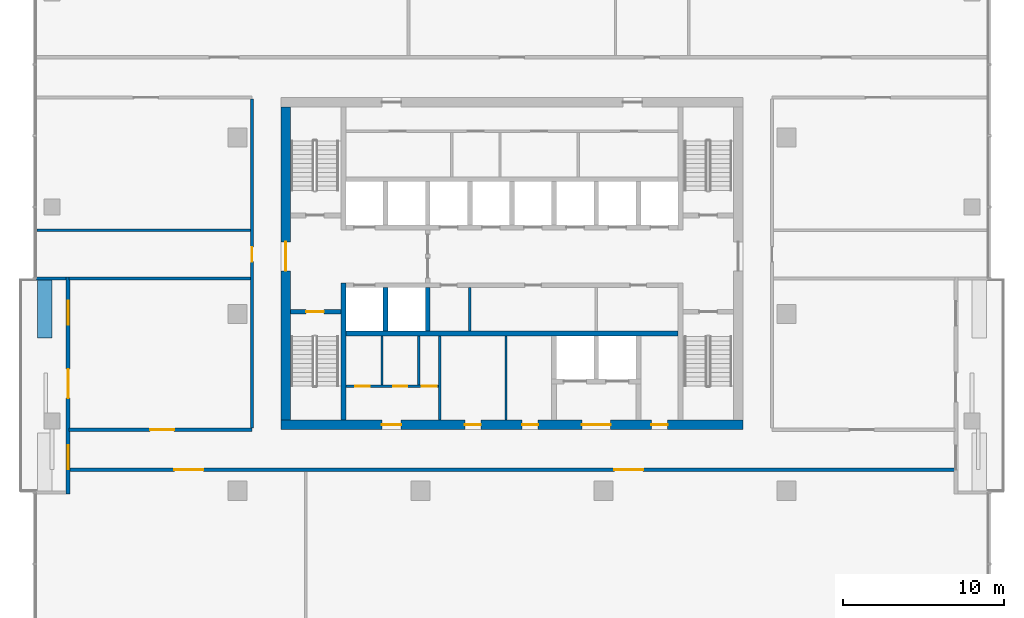
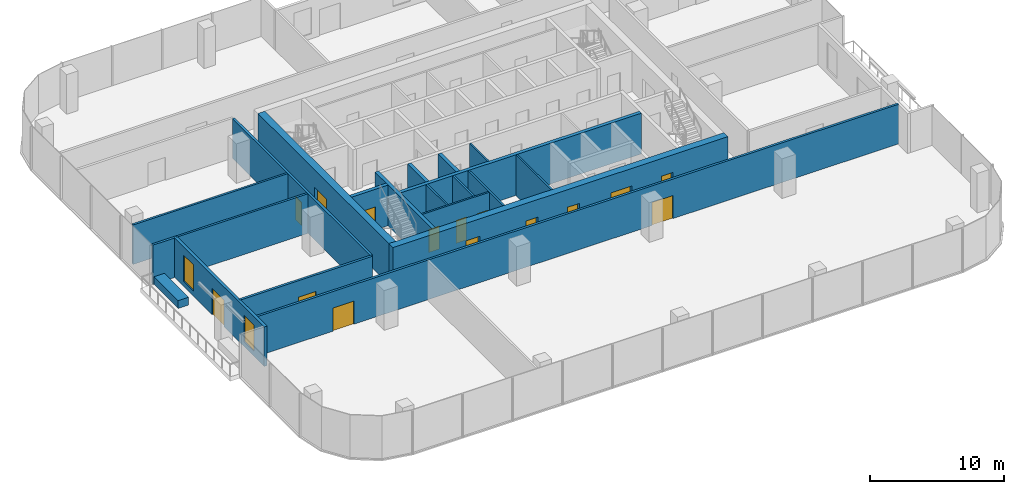
# One storey, part 7 of 13: 21 walls, 15 doors, 2 windows, 17 openings.
"""IFC4 building model written with IfcOpenShell, lengths in metres."""

from ifc_helpers import new_model, si_unit, direction, frame, frame_2d, origin, place, context, subcontext, project, spatial, rectangle, extrude, material, layer, layer_set, type_object, element, fill, save


model = new_model("IFC4")

# Units and contexts
model_context = context("Model", 3, precision=1e-05, world=origin(), true_north=direction((0.0, 1.0)))
body_context = subcontext(model_context, "Body", "Model", "MODEL_VIEW")
ifc_project = project(units=[si_unit("LENGTHUNIT", "METRE"), si_unit("AREAUNIT", "SQUARE_METRE"), si_unit("VOLUMEUNIT", "CUBIC_METRE"), si_unit("PLANEANGLEUNIT", "RADIAN"), si_unit("MASSUNIT", "GRAM", prefix="KILO")], contexts=[model_context])

# Site, building, storey
site_placement = place(None, origin())
site = spatial("IfcSite", under=ifc_project, at=site_placement, CompositionType="ELEMENT")
building_placement = place(site_placement, origin())
building = spatial("IfcBuilding", under=site, at=building_placement, Name="Mopane Tessera Tower", CompositionType="ELEMENT")
storey_placement = place(building_placement, frame((0.0, 0.0, 283.39990234375)))
storey = spatial("IfcBuildingStorey", under=building, at=storey_placement, Name="L61", CompositionType="ELEMENT", Elevation=283.39990234375)

# Wall, openings, doors
ifc_material_1 = material(Name="Fire-rated gypsum board partition")
ifc_layer_1 = layer(ifc_material_1, 0.14990234375)
ifc_layer_set_1 = layer_set([ifc_layer_1], Name="Fire-rated gypsum board partition")
wall_type_1 = type_object("IfcWallType", Name="Core room partition 150 mm", PredefinedType="PARTITIONING", material=ifc_layer_set_1)
wall_1_placement = place(storey_placement, frame((-10.35009765625, -4.5, 0.0), z_axis=(0.0, 0.0, 1.0), x_axis=(1.0, 0.0, 0.0)))
wall_1 = element("IfcWall", 1, at=wall_1_placement, inside=storey, type_object=wall_type_1, Name="L61 WC partition", PredefinedType="PARTITIONING", context=body_context, shape_type="SweptSolid", body=[
    extrude(rectangle(XDim=5.775146484375, YDim=0.14990234375, at=frame_2d((2.8876953125, 0.0))), origin(), (0.0, 0.0, 1.0), 3.7001953125),
])
opening_1_placement = place(wall_1_placement, frame((0.60009765625, 0.0, 0.0)))
opening_1 = element("IfcOpeningElement", 2, at=opening_1_placement, cuts=wall_1, Name="Opening WD1", PredefinedType="OPENING", context=body_context, shape_type="SweptSolid", body=[
    extrude(rectangle(XDim=0.89990234375, YDim=2.10009765625, at=frame_2d((0.449951171875, 1.050048828125))), frame((0.0, 0.0869140625, 0.0), z_axis=(0.0, -1.0, 0.0), x_axis=(1.0, 0.0, 0.0)), (0.0, 0.0, 1.0), 0.173828125),
])
opening_2_placement = place(wall_1_placement, frame((2.93994140625, 0.0, 0.0)))
opening_2 = element("IfcOpeningElement", 3, at=opening_2_placement, cuts=wall_1, Name="Opening WD1", PredefinedType="OPENING", context=body_context, shape_type="SweptSolid", body=[
    extrude(rectangle(XDim=0.89990234375, YDim=2.10009765625, at=frame_2d((0.449951171875, 1.050048828125))), frame((0.0, 0.0869140625, 0.0), z_axis=(0.0, -1.0, 0.0), x_axis=(1.0, 0.0, 0.0)), (0.0, 0.0, 1.0), 0.173828125),
])
opening_3_placement = place(wall_1_placement, frame((4.715087890625, 0.0, 0.0)))
opening_3 = element("IfcOpeningElement", 4, at=opening_3_placement, cuts=wall_1, Name="Opening WD2", PredefinedType="OPENING", context=body_context, shape_type="SweptSolid", body=[
    extrude(rectangle(XDim=0.949951171875, YDim=2.10009765625, at=frame_2d((0.47509765625, 1.050048828125))), frame((0.0, 0.0869140625, 0.0), z_axis=(0.0, -1.0, 0.0), x_axis=(1.0, 0.0, 0.0)), (0.0, 0.0, 1.0), 0.173828125),
])
ifc_material_2 = material(Name="Timber door", Category="wood")
door_type_1 = type_object("IfcDoorType", Name="Accessible WC door 950 x 2100", OperationType="SINGLE_SWING_LEFT", PredefinedType="DOOR", material=ifc_material_2)
door_1_placement = place(opening_3_placement, origin())
door_1 = element("IfcDoor", 5, at=door_1_placement, inside=storey, type_object=door_type_1, Name="L61 Accessible WC door", OperationType="SINGLE_SWING_LEFT", OverallHeight=2.10009765625, OverallWidth=0.949951171875, PredefinedType="DOOR", context=body_context, shape_type="SweptSolid", body=[
    extrude(rectangle(XDim=0.949951171875, YDim=2.10009765625, at=frame_2d((0.47509765625, 1.050048828125))), frame((0.0, 0.02490234375, 0.0), z_axis=(0.0, -1.0, 0.0), x_axis=(1.0, 0.0, 0.0)), (0.0, 0.0, 1.0), 0.050048828125),
])
fill(opening_3, door_1)
ifc_material_3 = material(Name="Timber door", Category="wood")
door_type_2 = type_object("IfcDoorType", Name="WC cubicle door 900 x 2100", OperationType="SINGLE_SWING_LEFT", PredefinedType="DOOR", material=ifc_material_3)
door_2_placement = place(opening_1_placement, origin())
door_2 = element("IfcDoor", 6, at=door_2_placement, inside=storey, type_object=door_type_2, Name="L61 Men's WC door", OperationType="SINGLE_SWING_LEFT", OverallHeight=2.10009765625, OverallWidth=0.89990234375, PredefinedType="DOOR", context=body_context, shape_type="SweptSolid", body=[
    extrude(rectangle(XDim=0.89990234375, YDim=2.10009765625, at=frame_2d((0.449951171875, 1.050048828125))), frame((0.0, 0.02490234375, 0.0), z_axis=(0.0, -1.0, 0.0), x_axis=(1.0, 0.0, 0.0)), (0.0, 0.0, 1.0), 0.050048828125),
])
fill(opening_1, door_2)
door_3_placement = place(opening_2_placement, origin())
door_3 = element("IfcDoor", 7, at=door_3_placement, inside=storey, type_object=door_type_2, Name="L61 Women's WC door", OperationType="SINGLE_SWING_LEFT", OverallHeight=2.10009765625, OverallWidth=0.89990234375, PredefinedType="DOOR", context=body_context, shape_type="SweptSolid", body=[
    extrude(rectangle(XDim=0.89990234375, YDim=2.10009765625, at=frame_2d((0.449951171875, 1.050048828125))), frame((0.0, 0.02490234375, 0.0), z_axis=(0.0, -1.0, 0.0), x_axis=(1.0, 0.0, 0.0)), (0.0, 0.0, 1.0), 0.050048828125),
])
fill(opening_2, door_3)

# Walls
for number, where, z_axis, x_axis, name in (
    (8, (-8.10009765625, -4.425048828125, 0.0), (0.0, 0.0, 1.0), (0.0, 1.0, 0.0), "L61 WC partition"),
    (9, (-5.820068359375, -4.425048828125, 0.0), (0.0, 0.0, 1.0), (0.0, 1.0, 0.0), "L61 WC partition"),
):
    element("IfcWall", number, at=place(storey_placement, frame(where, z_axis=z_axis, x_axis=x_axis)), inside=storey, type_object=wall_type_1, Name=name, PredefinedType="PARTITIONING", context=body_context, shape_type="SweptSolid", body=[
        extrude(rectangle(XDim=3.074951171875, YDim=0.14990234375, at=frame_2d((1.53759765625, 0.0))), origin(), (0.0, 0.0, 1.0), 3.7001953125),
    ])
for number, where, z_axis, x_axis, name in (
    (10, (-4.5, -6.60009765625, 0.0), (0.0, 0.0, 1.0), (0.0, 1.0, 0.0), "L61 Room partition"),
    (11, (-0.375, -6.60009765625, 0.0), (0.0, 0.0, 1.0), (0.0, 1.0, 0.0), "L61 Room partition"),
):
    element("IfcWall", number, at=place(storey_placement, frame(where, z_axis=z_axis, x_axis=x_axis)), inside=storey, type_object=wall_type_1, Name=name, PredefinedType="PARTITIONING", context=body_context, shape_type="SweptSolid", body=[
        extrude(rectangle(XDim=5.25, YDim=0.14990234375, at=frame_2d((2.625, 0.0))), origin(), (0.0, 0.0, 1.0), 3.7001953125),
    ])
wall_2_placement = place(storey_placement, frame((-2.625, -1.050048828125, 0.0), z_axis=(0.0, 0.0, 1.0), x_axis=(0.0, 1.0, 0.0)))
element("IfcWall", 12, at=wall_2_placement, inside=storey, type_object=wall_type_1, Name="L61 Room partition", PredefinedType="PARTITIONING", context=body_context, shape_type="SweptSolid", body=[
    extrude(rectangle(XDim=2.699951171875, YDim=0.14990234375, at=frame_2d((1.35009765625, 0.0))), origin(), (0.0, 0.0, 1.0), 3.7001953125),
])

# Wall, openings, doors
ifc_material_4 = material(Name="Concrete C70/85", Category="concrete")
ifc_layer_2 = layer(ifc_material_4, 0.60009765625)
ifc_layer_set_2 = layer_set([ifc_layer_2], Name="Concrete C70/85")
wall_type_2 = type_object("IfcWallType", Name="Core shear wall 600 mm", PredefinedType="SHEAR", material=ifc_layer_set_2)
wall_3_placement = place(storey_placement, frame((-14.39990234375, -6.89990234375, 0.0), z_axis=(0.0, 0.0, 1.0), x_axis=(1.0, 0.0, 0.0)))
wall_3 = element("IfcWall", 13, at=wall_3_placement, inside=storey, type_object=wall_type_2, Name="L61 Core wall south", PredefinedType="SHEAR", context=body_context, shape_type="SweptSolid", body=[
    extrude(rectangle(XDim=28.7998046875, YDim=0.60009765625, at=frame_2d((14.39990234375, 0.0))), origin(), (0.0, 0.0, 1.0), 3.7001953125),
])
opening_4_placement = place(wall_3_placement, frame((6.300048828125, 0.0, 0.0)))
opening_4 = element("IfcOpeningElement", 14, at=opening_4_placement, cuts=wall_3, Name="Opening WD3", PredefinedType="OPENING", context=body_context, shape_type="SweptSolid", body=[
    extrude(rectangle(XDim=1.199951171875, YDim=2.10009765625, at=frame_2d((0.60009765625, 1.050048828125))), frame((0.0, 0.31201171875, 0.0), z_axis=(0.0, -1.0, 0.0), x_axis=(1.0, 0.0, 0.0)), (0.0, 0.0, 1.0), 0.6240234375),
])
opening_5_placement = place(wall_3_placement, frame((11.46240234375, 0.0, 0.0)))
opening_5 = element("IfcOpeningElement", 15, at=opening_5_placement, cuts=wall_3, Name="Opening RD1", PredefinedType="OPENING", context=body_context, shape_type="SweptSolid", body=[
    extrude(rectangle(XDim=1.0, YDim=2.10009765625, at=frame_2d((0.5, 1.050048828125))), frame((0.0, 0.31201171875, 0.0), z_axis=(0.0, -1.0, 0.0), x_axis=(1.0, 0.0, 0.0)), (0.0, 0.0, 1.0), 0.6240234375),
])
opening_6_placement = place(wall_3_placement, frame((15.02490234375, 0.0, 0.0)))
opening_6 = element("IfcOpeningElement", 16, at=opening_6_placement, cuts=wall_3, Name="Opening RD1", PredefinedType="OPENING", context=body_context, shape_type="SweptSolid", body=[
    extrude(rectangle(XDim=1.0, YDim=2.10009765625, at=frame_2d((0.5, 1.050048828125))), frame((0.0, 0.31201171875, 0.0), z_axis=(0.0, -1.0, 0.0), x_axis=(1.0, 0.0, 0.0)), (0.0, 0.0, 1.0), 0.6240234375),
])
opening_7_placement = place(wall_3_placement, frame((18.75, 0.0, 0.0)))
opening_7 = element("IfcOpeningElement", 17, at=opening_7_placement, cuts=wall_3, Name="Opening SD2", PredefinedType="OPENING", context=body_context, shape_type="SweptSolid", body=[
    extrude(rectangle(XDim=1.800048828125, YDim=2.10009765625, at=frame_2d((0.89990234375, 1.050048828125))), frame((0.0, 0.31201171875, 0.0), z_axis=(0.0, -1.0, 0.0), x_axis=(1.0, 0.0, 0.0)), (0.0, 0.0, 1.0), 0.6240234375),
])
opening_8_placement = place(wall_3_placement, frame((23.08740234375, 0.0, 0.0)))
opening_8 = element("IfcOpeningElement", 18, at=opening_8_placement, cuts=wall_3, Name="Opening RD1", PredefinedType="OPENING", context=body_context, shape_type="SweptSolid", body=[
    extrude(rectangle(XDim=1.0, YDim=2.10009765625, at=frame_2d((0.5, 1.050048828125))), frame((0.0, 0.31201171875, 0.0), z_axis=(0.0, -1.0, 0.0), x_axis=(1.0, 0.0, 0.0)), (0.0, 0.0, 1.0), 0.6240234375),
])
ifc_material_5 = material(Name="Steel fire door", Category="steel")
door_type_3 = type_object("IfcDoorType", Name="Core entrance double door 1800 x 2100", OperationType="DOUBLE_DOOR_SINGLE_SWING", PredefinedType="DOOR", material=ifc_material_5)
door_4_placement = place(opening_7_placement, origin())
door_4 = element("IfcDoor", 19, at=door_4_placement, inside=storey, type_object=door_type_3, Name="L61 Service lobby door", OperationType="DOUBLE_DOOR_SINGLE_SWING", OverallHeight=2.10009765625, OverallWidth=1.800048828125, PredefinedType="DOOR", context=body_context, shape_type="SweptSolid", body=[
    extrude(rectangle(XDim=1.800048828125, YDim=2.10009765625, at=frame_2d((0.89990234375, 1.050048828125))), frame((0.0, 0.02490234375, 0.0), z_axis=(0.0, -1.0, 0.0), x_axis=(1.0, 0.0, 0.0)), (0.0, 0.0, 1.0), 0.050048828125),
])
fill(opening_7, door_4)
ifc_material_6 = material(Name="Timber door", Category="wood")
door_type_4 = type_object("IfcDoorType", Name="Core room door 1000 x 2100", OperationType="SINGLE_SWING_LEFT", PredefinedType="DOOR", material=ifc_material_6)
door_5_placement = place(opening_5_placement, origin())
door_5 = element("IfcDoor", 20, at=door_5_placement, inside=storey, type_object=door_type_4, Name="L61 Room door", OperationType="SINGLE_SWING_LEFT", OverallHeight=2.10009765625, OverallWidth=1.0, PredefinedType="DOOR", context=body_context, shape_type="SweptSolid", body=[
    extrude(rectangle(XDim=1.0, YDim=2.10009765625, at=frame_2d((0.5, 1.050048828125))), frame((0.0, 0.02490234375, 0.0), z_axis=(0.0, -1.0, 0.0), x_axis=(1.0, 0.0, 0.0)), (0.0, 0.0, 1.0), 0.050048828125),
])
fill(opening_5, door_5)
door_6_placement = place(opening_6_placement, origin())
door_6 = element("IfcDoor", 21, at=door_6_placement, inside=storey, type_object=door_type_4, Name="L61 Room door", OperationType="SINGLE_SWING_LEFT", OverallHeight=2.10009765625, OverallWidth=1.0, PredefinedType="DOOR", context=body_context, shape_type="SweptSolid", body=[
    extrude(rectangle(XDim=1.0, YDim=2.10009765625, at=frame_2d((0.5, 1.050048828125))), frame((0.0, 0.02490234375, 0.0), z_axis=(0.0, -1.0, 0.0), x_axis=(1.0, 0.0, 0.0)), (0.0, 0.0, 1.0), 0.050048828125),
])
fill(opening_6, door_6)
door_7_placement = place(opening_8_placement, origin())
door_7 = element("IfcDoor", 22, at=door_7_placement, inside=storey, type_object=door_type_4, Name="L61 Room door", OperationType="SINGLE_SWING_LEFT", OverallHeight=2.10009765625, OverallWidth=1.0, PredefinedType="DOOR", context=body_context, shape_type="SweptSolid", body=[
    extrude(rectangle(XDim=1.0, YDim=2.10009765625, at=frame_2d((0.5, 1.050048828125))), frame((0.0, 0.02490234375, 0.0), z_axis=(0.0, -1.0, 0.0), x_axis=(1.0, 0.0, 0.0)), (0.0, 0.0, 1.0), 0.050048828125),
])
fill(opening_8, door_7)
ifc_material_7 = material(Name="Timber door", Category="wood")
door_type_5 = type_object("IfcDoorType", Name="WC lobby door 1200 x 2100", OperationType="SINGLE_SWING_LEFT", PredefinedType="DOOR", material=ifc_material_7)
door_8_placement = place(opening_4_placement, origin())
door_8 = element("IfcDoor", 23, at=door_8_placement, inside=storey, type_object=door_type_5, Name="L61 WC lobby door", OperationType="SINGLE_SWING_LEFT", OverallHeight=2.10009765625, OverallWidth=1.199951171875, PredefinedType="DOOR", context=body_context, shape_type="SweptSolid", body=[
    extrude(rectangle(XDim=1.199951171875, YDim=2.10009765625, at=frame_2d((0.60009765625, 1.050048828125))), frame((0.0, 0.02490234375, 0.0), z_axis=(0.0, -1.0, 0.0), x_axis=(1.0, 0.0, 0.0)), (0.0, 0.0, 1.0), 0.050048828125),
])
fill(opening_4, door_8)

# Wall, opening, door
wall_4_placement = place(storey_placement, frame((-14.10009765625, -6.60009765625, 0.0), z_axis=(0.0, 0.0, 1.0), x_axis=(0.0, 1.0, 0.0)))
wall_4 = element("IfcWall", 24, at=wall_4_placement, inside=storey, type_object=wall_type_2, Name="L61 Core wall west", PredefinedType="SHEAR", context=body_context, shape_type="SweptSolid", body=[
    extrude(rectangle(XDim=19.5, YDim=0.60009765625, at=frame_2d((9.75, 0.0))), origin(), (0.0, 0.0, 1.0), 3.7001953125),
])
opening_9_placement = place(wall_4_placement, frame((9.300048828125, 0.0, 0.0)))
opening_9 = element("IfcOpeningElement", 25, at=opening_9_placement, cuts=wall_4, Name="Opening SD2", PredefinedType="OPENING", context=body_context, shape_type="SweptSolid", body=[
    extrude(rectangle(XDim=1.800048828125, YDim=2.10009765625, at=frame_2d((0.89990234375, 1.050048828125))), frame((0.0, 0.31201171875, 0.0), z_axis=(0.0, -1.0, 0.0), x_axis=(1.0, 0.0, 0.0)), (0.0, 0.0, 1.0), 0.6240234375),
])
door_9_placement = place(opening_9_placement, origin())
door_9 = element("IfcDoor", 26, at=door_9_placement, inside=storey, type_object=door_type_3, Name="L61 Core entrance door west", OperationType="DOUBLE_DOOR_SINGLE_SWING", OverallHeight=2.10009765625, OverallWidth=1.800048828125, PredefinedType="DOOR", context=body_context, shape_type="SweptSolid", body=[
    extrude(rectangle(XDim=1.800048828125, YDim=2.10009765625, at=frame_2d((0.89990234375, 1.050048828125))), frame((0.0, 0.02490234375, 0.0), z_axis=(0.0, -1.0, 0.0), x_axis=(1.0, 0.0, 0.0)), (0.0, 0.0, 1.0), 0.050048828125),
])
fill(opening_9, door_9)

# Walls
ifc_material_8 = material(Name="Concrete C60/75", Category="concrete")
ifc_layer_3 = layer(ifc_material_8, 0.300048828125)
ifc_layer_set_3 = layer_set([ifc_layer_3], Name="Concrete C60/75")
wall_type_3 = type_object("IfcWallType", Name="Core spine wall 300 mm", PredefinedType="SHEAR", material=ifc_layer_set_3)
wall_5_placement = place(storey_placement, frame((-10.5, -6.60009765625, 0.0), z_axis=(0.0, 0.0, 1.0), x_axis=(0.0, 1.0, 0.0)))
element("IfcWall", 27, at=wall_5_placement, inside=storey, type_object=wall_type_3, Name="L61 Core spine wall", PredefinedType="SHEAR", context=body_context, shape_type="SweptSolid", body=[
    extrude(rectangle(XDim=8.550048828125, YDim=0.300048828125, at=frame_2d((4.27490234375, 0.0))), origin(), (0.0, 0.0, 1.0), 3.7001953125),
])
ifc_material_9 = material(Name="Gypsum board on staggered steel studs, double layer each face, acoustic mineral wool infill", Category="steel")
ifc_layer_4 = layer(ifc_material_9, 0.175048828125)
ifc_layer_set_4 = layer_set([ifc_layer_4], Name="Gypsum board on staggered steel studs, double layer each face, acoustic mineral wool infill")
wall_type_4 = type_object("IfcWallType", Name="Gypsum board acoustic partition 175, rated EI 60", PredefinedType="PARTITIONING", material=ifc_layer_set_4)
wall_6_placement = place(storey_placement, frame((-27.60009765625, 2.219970703125, 0.0), z_axis=(0.0, 0.0, 1.0), x_axis=(1.0, 0.0, 0.0)))
element("IfcWall", 28, at=wall_6_placement, inside=storey, type_object=wall_type_4, Name="Partition L61:003", PredefinedType="PARTITIONING", context=body_context, shape_type="SweptSolid", body=[
    extrude(rectangle(XDim=11.300048828125, YDim=0.175048828125, at=frame_2d((5.64990234375, 0.0))), origin(), (0.0, 0.0, 1.0), 3.60009765625),
])
wall_7_placement = place(storey_placement, frame((-29.60009765625, 5.219970703125, 0.0), z_axis=(0.0, 0.0, 1.0), x_axis=(1.0, 0.0, 0.0)))
element("IfcWall", 29, at=wall_7_placement, inside=storey, type_object=wall_type_4, Name="Partition L61:005", PredefinedType="PARTITIONING", context=body_context, shape_type="SweptSolid", body=[
    extrude(rectangle(XDim=13.300048828125, YDim=0.175048828125, at=frame_2d((6.64990234375, 0.0))), origin(), (0.0, 0.0, 1.0), 3.60009765625),
])

# Wall, openings, doors
ifc_material_10 = material(Name="Gypsum board on steel studs, two layers each face, mineral wool infill", Category="steel")
ifc_layer_5 = layer(ifc_material_10, 0.199951171875)
ifc_layer_set_5 = layer_set([ifc_layer_5], Name="Gypsum board on steel studs, two layers each face, mineral wool infill")
wall_type_5 = type_object("IfcWallType", Name="Gypsum board corridor wall 200, rated EI 60", PredefinedType="PARTITIONING", material=ifc_layer_set_5)
wall_8_placement = place(storey_placement, frame((-27.60009765625, -9.699951171875, 0.0), z_axis=(0.0, 0.0, 1.0), x_axis=(1.0, 0.0, 0.0)))
wall_8 = element("IfcWall", 30, at=wall_8_placement, inside=storey, type_object=wall_type_5, Name="Partition L61:000", PredefinedType="PARTITIONING", context=body_context, shape_type="SweptSolid", body=[
    extrude(rectangle(XDim=55.2001953125, YDim=0.199951171875, at=frame_2d((27.60009765625, 0.0))), origin(), (0.0, 0.0, 1.0), 3.60009765625),
])
opening_10_placement = place(wall_8_placement, frame((6.574951171875, 0.0, 0.0)))
opening_10 = element("IfcOpeningElement", 31, at=opening_10_placement, cuts=wall_8, Name="Opening L61-03", PredefinedType="OPENING", context=body_context, shape_type="SweptSolid", body=[
    extrude(rectangle(XDim=1.800048828125, YDim=2.10009765625, at=frame_2d((0.89990234375, 1.050048828125))), frame((0.0, 0.112060546875, 0.0), z_axis=(0.0, -1.0, 0.0), x_axis=(1.0, 0.0, 0.0)), (0.0, 0.0, 1.0), 0.223876953125),
])
opening_11_placement = place(wall_8_placement, frame((33.97509765625, 0.0, 0.0)))
opening_11 = element("IfcOpeningElement", 32, at=opening_11_placement, cuts=wall_8, Name="Opening L61-08", PredefinedType="OPENING", context=body_context, shape_type="SweptSolid", body=[
    extrude(rectangle(XDim=1.800048828125, YDim=2.10009765625, at=frame_2d((0.89990234375, 1.050048828125))), frame((0.0, 0.112060546875, 0.0), z_axis=(0.0, -1.0, 0.0), x_axis=(1.0, 0.0, 0.0)), (0.0, 0.0, 1.0), 0.223876953125),
])
ifc_material_11 = material(Name="Timber veneered steel-framed fire door", Category="steel")
door_type_6 = type_object("IfcDoorType", Name="Fire door pair FD60 1800 x 2100", OperationType="DOUBLE_DOOR_SINGLE_SWING", PredefinedType="DOOR", material=ifc_material_11)
door_10_placement = place(opening_10_placement, origin())
door_10 = element("IfcDoor", 33, at=door_10_placement, inside=storey, type_object=door_type_6, Name="Door L61-03", ObjectType="D20A", OperationType="DOUBLE_DOOR_SINGLE_SWING", OverallHeight=2.10009765625, OverallWidth=1.800048828125, PredefinedType="DOOR", context=body_context, shape_type="SweptSolid", body=[
    extrude(rectangle(XDim=1.800048828125, YDim=2.10009765625, at=frame_2d((0.89990234375, 1.050048828125))), frame((0.0, 0.02490234375, 0.0), z_axis=(0.0, -1.0, 0.0), x_axis=(1.0, 0.0, 0.0)), (0.0, 0.0, 1.0), 0.050048828125),
])
fill(opening_10, door_10)
door_11_placement = place(opening_11_placement, origin())
door_11 = element("IfcDoor", 34, at=door_11_placement, inside=storey, type_object=door_type_6, Name="Door L61-08", ObjectType="D20A", OperationType="DOUBLE_DOOR_SINGLE_SWING", OverallHeight=2.10009765625, OverallWidth=1.800048828125, PredefinedType="DOOR", context=body_context, shape_type="SweptSolid", body=[
    extrude(rectangle(XDim=1.800048828125, YDim=2.10009765625, at=frame_2d((0.89990234375, 1.050048828125))), frame((0.0, 0.02490234375, 0.0), z_axis=(0.0, -1.0, 0.0), x_axis=(1.0, 0.0, 0.0)), (0.0, 0.0, 1.0), 0.050048828125),
])
fill(opening_11, door_11)

# Wall, opening, door
wall_9_placement = place(storey_placement, frame((-27.60009765625, -7.199951171875, 0.0), z_axis=(0.0, 0.0, 1.0), x_axis=(1.0, 0.0, 0.0)))
wall_9 = element("IfcWall", 35, at=wall_9_placement, inside=storey, type_object=wall_type_5, Name="Partition L61:001", PredefinedType="PARTITIONING", context=body_context, shape_type="SweptSolid", body=[
    extrude(rectangle(XDim=11.400146484375, YDim=0.199951171875, at=frame_2d((5.7001953125, 0.0))), origin(), (0.0, 0.0, 1.0), 3.60009765625),
])
opening_12_placement = place(wall_9_placement, frame((5.050048828125, 0.0, 0.0)))
opening_12 = element("IfcOpeningElement", 36, at=opening_12_placement, cuts=wall_9, Name="Opening L61-10", PredefinedType="OPENING", context=body_context, shape_type="SweptSolid", body=[
    extrude(rectangle(XDim=1.5, YDim=2.10009765625, at=frame_2d((0.75, 1.050048828125))), frame((0.0, 0.112060546875, 0.0), z_axis=(0.0, -1.0, 0.0), x_axis=(1.0, 0.0, 0.0)), (0.0, 0.0, 1.0), 0.223876953125),
])
ifc_material_12 = material(Name="Timber veneered steel-framed fire door", Category="steel")
door_type_7 = type_object("IfcDoorType", Name="Fire door pair FD60 1500 x 2100", OperationType="DOUBLE_DOOR_SINGLE_SWING", PredefinedType="DOOR", material=ifc_material_12)
door_12_placement = place(opening_12_placement, origin())
door_12 = element("IfcDoor", 37, at=door_12_placement, inside=storey, type_object=door_type_7, Name="Door L61-10", ObjectType="D17A", OperationType="DOUBLE_DOOR_SINGLE_SWING", OverallHeight=2.10009765625, OverallWidth=1.5, PredefinedType="DOOR", context=body_context, shape_type="SweptSolid", body=[
    extrude(rectangle(XDim=1.5, YDim=2.10009765625, at=frame_2d((0.75, 1.050048828125))), frame((0.0, 0.02490234375, 0.0), z_axis=(0.0, -1.0, 0.0), x_axis=(1.0, 0.0, 0.0)), (0.0, 0.0, 1.0), 0.050048828125),
])
fill(opening_12, door_12)

wall_10_placement = place(storey_placement, frame((-16.199951171875, -7.10009765625, 0.0), z_axis=(0.0, 0.0, 1.0), x_axis=(0.0, 1.0, 0.0)))
wall_10 = element("IfcWall", 38, at=wall_10_placement, inside=storey, type_object=wall_type_5, Name="Partition L61:010", PredefinedType="PARTITIONING", context=body_context, shape_type="SweptSolid", body=[
    extrude(rectangle(XDim=20.5, YDim=0.199951171875, at=frame_2d((10.25, 0.0))), origin(), (0.0, 0.0, 1.0), 3.60009765625),
])
opening_13_placement = place(wall_10_placement, frame((10.3701171875, 0.0, 0.0)))
opening_13 = element("IfcOpeningElement", 39, at=opening_13_placement, cuts=wall_10, Name="Opening L61-06", PredefinedType="OPENING", context=body_context, shape_type="SweptSolid", body=[
    extrude(rectangle(XDim=0.89990234375, YDim=2.10009765625, at=frame_2d((0.449951171875, 1.050048828125))), frame((0.0, 0.112060546875, 0.0), z_axis=(0.0, -1.0, 0.0), x_axis=(1.0, 0.0, 0.0)), (0.0, 0.0, 1.0), 0.223876953125),
])
ifc_material_13 = material(Name="Timber veneered steel-framed fire door", Category="steel")
door_type_8 = type_object("IfcDoorType", Name="Fire door FD60 900 x 2100", OperationType="SINGLE_SWING_LEFT", PredefinedType="DOOR", material=ifc_material_13)
door_13_placement = place(opening_13_placement, origin())
door_13 = element("IfcDoor", 40, at=door_13_placement, inside=storey, type_object=door_type_8, Name="Door L61-06", ObjectType="D10A", OperationType="SINGLE_SWING_LEFT", OverallHeight=2.10009765625, OverallWidth=0.89990234375, PredefinedType="DOOR", context=body_context, shape_type="SweptSolid", body=[
    extrude(rectangle(XDim=0.89990234375, YDim=2.10009765625, at=frame_2d((0.449951171875, 1.050048828125))), frame((0.0, 0.02490234375, 0.0), z_axis=(0.0, -1.0, 0.0), x_axis=(1.0, 0.0, 0.0)), (0.0, 0.0, 1.0), 0.050048828125),
])
fill(opening_13, door_13)

ifc_material_14 = material(Name="Concrete C50/60", Category="concrete")
ifc_layer_6 = layer(ifc_material_14, 0.300048828125)
ifc_layer_set_6 = layer_set([ifc_layer_6], Name="Concrete C50/60")
wall_type_6 = type_object("IfcWallType", Name="Lift and stair shaft wall 300 mm", PredefinedType="SOLIDWALL", material=ifc_layer_set_6)
wall_11_placement = place(storey_placement, frame((-13.800048828125, 0.14990234375, 0.0), z_axis=(0.0, 0.0, 1.0), x_axis=(1.0, 0.0, 0.0)))
wall_11 = element("IfcWall", 41, at=wall_11_placement, inside=storey, type_object=wall_type_6, Name="L61 Stair enclosure wall", PredefinedType="SOLIDWALL", context=body_context, shape_type="SweptSolid", body=[
    extrude(rectangle(XDim=3.150146484375, YDim=0.300048828125, at=frame_2d((1.5751953125, 0.0))), origin(), (0.0, 0.0, 1.0), 3.7001953125),
])
opening_14_placement = place(wall_11_placement, frame((0.97509765625, 0.0, 0.0)))
opening_14 = element("IfcOpeningElement", 42, at=opening_14_placement, cuts=wall_11, Name="Opening SD1", PredefinedType="OPENING", context=body_context, shape_type="SweptSolid", body=[
    extrude(rectangle(XDim=1.10009765625, YDim=2.10009765625, at=frame_2d((0.550048828125, 1.050048828125))), frame((0.0, 0.162109375, 0.0), z_axis=(0.0, -1.0, 0.0), x_axis=(1.0, 0.0, 0.0)), (0.0, 0.0, 1.0), 0.323974609375),
])
ifc_material_15 = material(Name="Steel fire door", Category="steel")
door_type_9 = type_object("IfcDoorType", Name="Stair fire door 1100 x 2100", OperationType="SINGLE_SWING_LEFT", PredefinedType="DOOR", material=ifc_material_15)
door_14_placement = place(opening_14_placement, origin())
door_14 = element("IfcDoor", 43, at=door_14_placement, inside=storey, type_object=door_type_9, Name="L61 Stair door ST1", OperationType="SINGLE_SWING_LEFT", OverallHeight=2.10009765625, OverallWidth=1.10009765625, PredefinedType="DOOR", context=body_context, shape_type="SweptSolid", body=[
    extrude(rectangle(XDim=1.10009765625, YDim=2.10009765625, at=frame_2d((0.550048828125, 1.050048828125))), frame((0.0, 0.02490234375, 0.0), z_axis=(0.0, -1.0, 0.0), x_axis=(1.0, 0.0, 0.0)), (0.0, 0.0, 1.0), 0.050048828125),
])
fill(opening_14, door_14)

# Walls
wall_12_placement = place(storey_placement, frame((-10.35009765625, -1.199951171875, 0.0), z_axis=(0.0, 0.0, 1.0), x_axis=(1.0, 0.0, 0.0)))
element("IfcWall", 44, at=wall_12_placement, inside=storey, type_object=wall_type_6, Name="L61 Lift shaft rear wall", PredefinedType="SOLIDWALL", context=body_context, shape_type="SweptSolid", body=[
    extrude(rectangle(XDim=20.7001953125, YDim=0.300048828125, at=frame_2d((10.35009765625, 0.0))), origin(), (0.0, 0.0, 1.0), 3.7001953125),
])
for number, where, z_axis, x_axis, name in (
    (45, (-7.875, -1.050048828125, 0.0), (0.0, 0.0, 1.0), (0.0, 1.0, 0.0), "L61 Lift shaft wall"),
    (46, (-5.25, -1.050048828125, 0.0), (0.0, 0.0, 1.0), (0.0, 1.0, 0.0), "L61 Lift shaft wall"),
):
    element("IfcWall", number, at=place(storey_placement, frame(where, z_axis=z_axis, x_axis=x_axis)), inside=storey, type_object=wall_type_6, Name=name, PredefinedType="SOLIDWALL", context=body_context, shape_type="SweptSolid", body=[
        extrude(rectangle(XDim=2.699951171875, YDim=0.300048828125, at=frame_2d((1.35009765625, 0.0))), origin(), (0.0, 0.0, 1.0), 3.7001953125),
    ])
ifc_material_16 = material(Name="Reinforced concrete C32/40 with waterproofing", Category="concrete")
ifc_layer_7 = layer(ifc_material_16, 0.89990234375)
ifc_layer_set_7 = layer_set([ifc_layer_7], Name="Reinforced concrete C32/40 with waterproofing")
wall_type_7 = type_object("IfcWallType", Name="Planter trough 3600 x 900", PredefinedType="STANDARD", material=ifc_layer_set_7)
wall_13_placement = place(storey_placement, frame((-29.10009765625, 2.122314453125, 0.0), z_axis=(0.0, 0.0, 1.0), x_axis=(0.0, -1.0, 0.0)))
element("IfcWall", 47, at=wall_13_placement, inside=storey, type_object=wall_type_7, Name="e:nw:L61:N3:pl0", PredefinedType="STANDARD", context=body_context, shape_type="SweptSolid", body=[
    extrude(rectangle(XDim=3.60009765625, YDim=0.89990234375, at=frame_2d((1.800048828125, 0.0))), origin(), (0.0, 0.0, 1.0), 0.7001953125),
])
ifc_material_17 = material(Name="Blockwork with glazed tile facing", Category="masonry")
ifc_layer_8 = layer(ifc_material_17, 0.199951171875)
ifc_layer_set_8 = layer_set([ifc_layer_8], Name="Blockwork with glazed tile facing")
wall_type_8 = type_object("IfcWallType", Name="Terrace cheek wall 200", PredefinedType="STANDARD", material=ifc_layer_set_8)
wall_14_placement = place(storey_placement, frame((-29.64990234375, 2.22216796875, 0.0), z_axis=(0.0, 0.0, 1.0), x_axis=(1.0, 0.0, 0.0)))
element("IfcWall", 48, at=wall_14_placement, inside=storey, type_object=wall_type_8, Name="e:nw:L61:N3:cheeka", PredefinedType="STANDARD", context=body_context, shape_type="SweptSolid", body=[
    extrude(rectangle(XDim=1.875, YDim=0.199951171875, at=frame_2d((0.9375, 0.0))), origin(), (0.0, 0.0, 1.0), 3.60009765625),
])

# Wall, openings, windows, door
ifc_material_18 = material(Name="Blockwork with turquoise glazed tile facing", Category="masonry")
ifc_layer_9 = layer(ifc_material_18, 0.25)
ifc_layer_set_9 = layer_set([ifc_layer_9], Name="Blockwork with turquoise glazed tile facing")
wall_type_9 = type_object("IfcWallType", Name="Tile-clad external wall 250, turquoise", PredefinedType="STANDARD", material=ifc_layer_set_9)
wall_15_placement = place(storey_placement, frame((-27.64990234375, 2.322265625, 0.0), z_axis=(0.0, 0.0, 1.0), x_axis=(0.0, -1.0, 0.0)))
wall_15 = element("IfcWall", 49, at=wall_15_placement, inside=storey, type_object=wall_type_9, Name="e:nw:L61:N3:back", PredefinedType="STANDARD", context=body_context, shape_type="SweptSolid", body=[
    extrude(rectangle(XDim=13.533447265625, YDim=0.25, at=frame_2d((6.7666015625, 0.0))), origin(), (0.0, 0.0, 1.0), 3.60009765625),
])
opening_15_placement = place(wall_15_placement, frame((1.5, 0.0, 0.449951171875)))
opening_15 = element("IfcOpeningElement", 50, at=opening_15_placement, cuts=wall_15, Name="Opening NW613A", PredefinedType="OPENING", context=body_context, shape_type="SweptSolid", body=[
    extrude(rectangle(XDim=1.5, YDim=2.39990234375, at=frame_2d((0.75, 1.199951171875))), frame((0.0, 0.136962890625, 0.0), z_axis=(0.0, -1.0, 0.0), x_axis=(1.0, 0.0, 0.0)), (0.0, 0.0, 1.0), 0.27392578125),
])
opening_16_placement = place(wall_15_placement, frame((5.75, 0.0, 0.0)))
opening_16 = element("IfcOpeningElement", 51, at=opening_16_placement, cuts=wall_15, Name="Opening ND613", PredefinedType="OPENING", context=body_context, shape_type="SweptSolid", body=[
    extrude(rectangle(XDim=1.800048828125, YDim=2.39990234375, at=frame_2d((0.89990234375, 1.199951171875))), frame((0.0, 0.136962890625, 0.0), z_axis=(0.0, -1.0, 0.0), x_axis=(1.0, 0.0, 0.0)), (0.0, 0.0, 1.0), 0.27392578125),
])
opening_17_placement = place(wall_15_placement, frame((10.5, 0.0, 0.449951171875)))
opening_17 = element("IfcOpeningElement", 52, at=opening_17_placement, cuts=wall_15, Name="Opening NW613B", PredefinedType="OPENING", context=body_context, shape_type="SweptSolid", body=[
    extrude(rectangle(XDim=1.5, YDim=2.39990234375, at=frame_2d((0.75, 1.199951171875))), frame((0.0, 0.136962890625, 0.0), z_axis=(0.0, -1.0, 0.0), x_axis=(1.0, 0.0, 0.0)), (0.0, 0.0, 1.0), 0.27392578125),
])
ifc_material_19 = material(Name="Clear laminated glass", Category="glass")
window_type = type_object("IfcWindowType", Name="Fixed window 1500 x 2400", PartitioningType="SINGLE_PANEL", PredefinedType="WINDOW", material=ifc_material_19)
window_1_placement = place(opening_15_placement, origin())
window_1 = element("IfcWindow", 53, at=window_1_placement, inside=storey, type_object=window_type, Name="e:nw:L61:N3:win0", OverallHeight=2.39990234375, OverallWidth=1.5, PartitioningType="SINGLE_PANEL", PredefinedType="WINDOW", context=body_context, shape_type="SweptSolid", body=[
    extrude(rectangle(XDim=1.5, YDim=2.39990234375, at=frame_2d((0.75, 1.199951171875))), frame((0.0, 0.030029296875, 0.0), z_axis=(0.0, -1.0, 0.0), x_axis=(1.0, 0.0, 0.0)), (0.0, 0.0, 1.0), 0.06005859375),
])
fill(opening_15, window_1)
window_2_placement = place(opening_17_placement, origin())
window_2 = element("IfcWindow", 54, at=window_2_placement, inside=storey, type_object=window_type, Name="e:nw:L61:N3:win2", OverallHeight=2.39990234375, OverallWidth=1.5, PartitioningType="SINGLE_PANEL", PredefinedType="WINDOW", context=body_context, shape_type="SweptSolid", body=[
    extrude(rectangle(XDim=1.5, YDim=2.39990234375, at=frame_2d((0.75, 1.199951171875))), frame((0.0, 0.030029296875, 0.0), z_axis=(0.0, -1.0, 0.0), x_axis=(1.0, 0.0, 0.0)), (0.0, 0.0, 1.0), 0.06005859375),
])
fill(opening_17, window_2)
ifc_material_20 = material(Name="Aluminium and clear glass", Category="aluminium")
door_type_10 = type_object("IfcDoorType", Name="Terrace double door 1800 x 2400", OperationType="DOUBLE_DOOR_SINGLE_SWING", PredefinedType="DOOR", material=ifc_material_20)
door_15_placement = place(opening_16_placement, origin())
door_15 = element("IfcDoor", 55, at=door_15_placement, inside=storey, type_object=door_type_10, Name="e:nw:L61:N3:door", ObjectType="D1", OperationType="DOUBLE_DOOR_SINGLE_SWING", OverallHeight=2.39990234375, OverallWidth=1.800048828125, PredefinedType="DOOR", context=body_context, shape_type="SweptSolid", body=[
    extrude(rectangle(XDim=1.800048828125, YDim=2.39990234375, at=frame_2d((0.89990234375, 1.199951171875))), frame((0.0, 0.02490234375, 0.0), z_axis=(0.0, -1.0, 0.0), x_axis=(1.0, 0.0, 0.0)), (0.0, 0.0, 1.0), 0.050048828125),
])
fill(opening_16, door_15)

save(model, "model.ifc")
